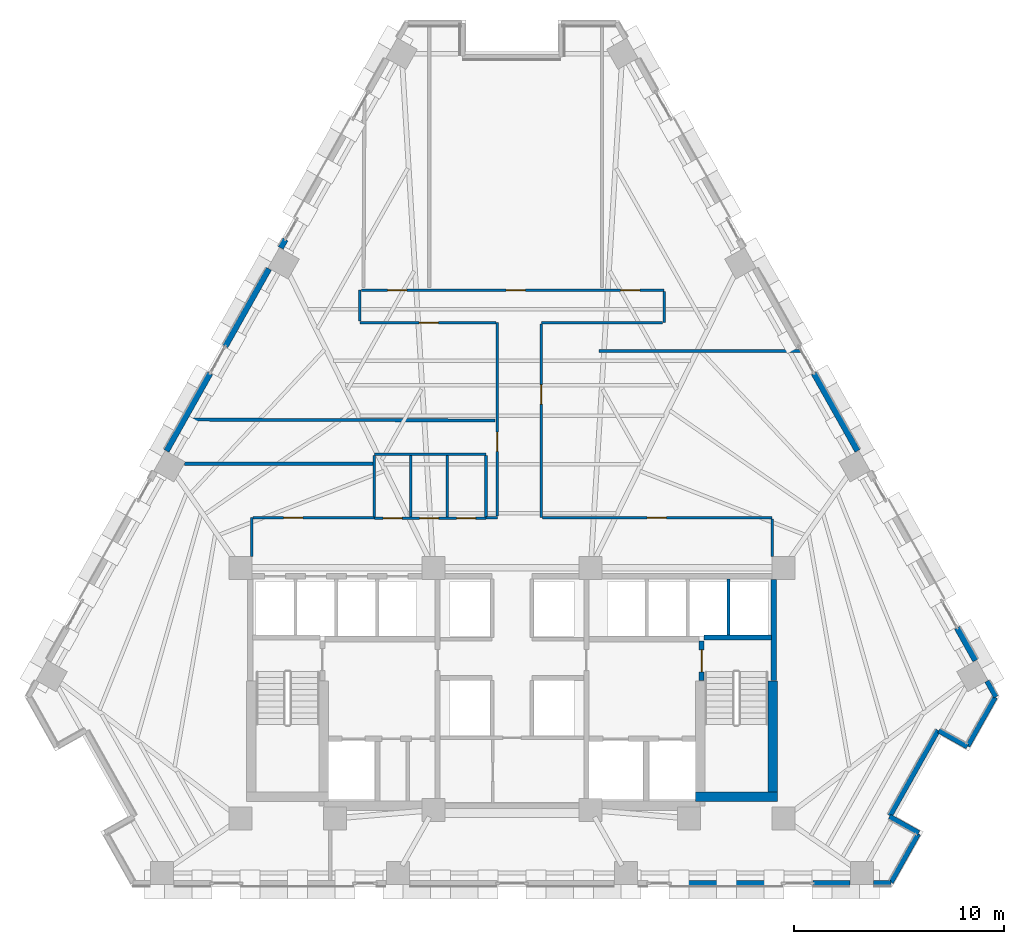
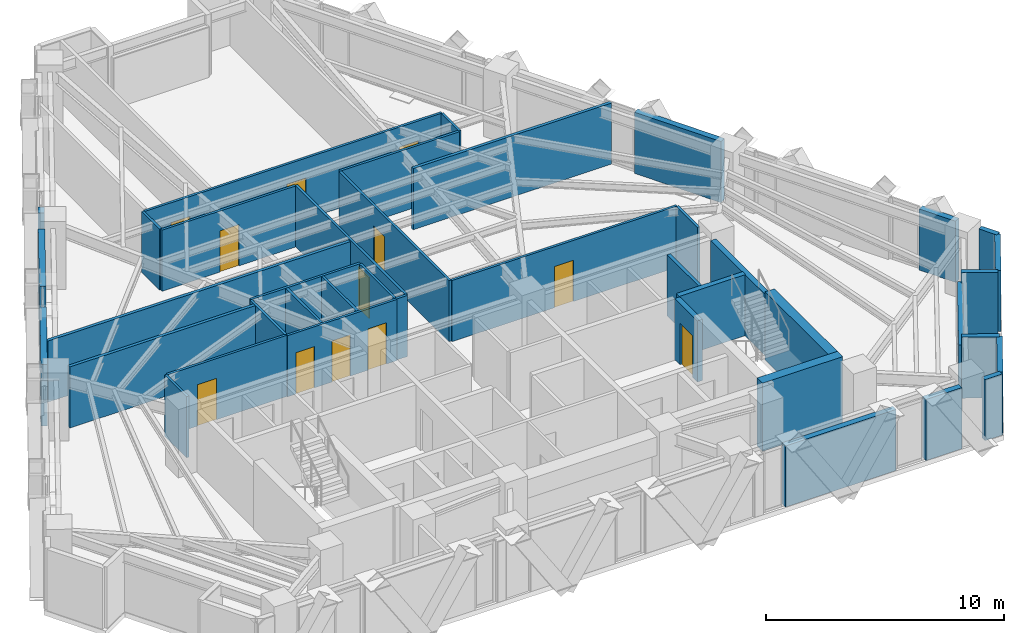
# One storey, part 8 of 13: 41 walls, 12 doors, 12 openings.
"""IFC4 building model written with IfcOpenShell, lengths in metres."""

from ifc_helpers import new_model, si_unit, direction, frame, frame_2d, origin, place, context, subcontext, project, spatial, rectangle, extrude, material, layer, layer_set, type_object, element, fill, save


model = new_model("IFC4")

# Units and contexts
model_context = context("Model", 3, precision=1e-05, world=origin(), true_north=direction((0.0, 1.0)))
body_context = subcontext(model_context, "Body", "Model", "MODEL_VIEW")
ifc_project = project(units=[si_unit("LENGTHUNIT", "METRE"), si_unit("AREAUNIT", "SQUARE_METRE"), si_unit("VOLUMEUNIT", "CUBIC_METRE"), si_unit("PLANEANGLEUNIT", "RADIAN"), si_unit("MASSUNIT", "GRAM", prefix="KILO")], contexts=[model_context])

# Site, building, storey
site_placement = place(None, origin())
site = spatial("IfcSite", under=ifc_project, at=site_placement, CompositionType="ELEMENT")
building_placement = place(site_placement, origin())
building = spatial("IfcBuilding", under=site, at=building_placement, Name="Quenlor Broadcast Tower", CompositionType="ELEMENT")
storey_placement = place(building_placement, frame((0.0, 0.0, 87.10009765625)))
storey = spatial("IfcBuildingStorey", under=building, at=storey_placement, Name="L23", CompositionType="ELEMENT", Elevation=87.10009765625)

# Walls
ifc_material_1 = material(Name="Acoustic Double Stud Gypsum Partition", Category="other")
ifc_layer_1 = layer(ifc_material_1, 0.14990234375)
ifc_layer_set_1 = layer_set([ifc_layer_1], Name="Broadcast Studio Acoustic Partition 150")
wall_type_1 = type_object("IfcWallType", Name="Broadcast Studio Acoustic Partition 150", PredefinedType="PARTITIONING", material=ifc_layer_set_1)
wall_1_placement = place(storey_placement, frame((13.788818359375, 5.5400390625, 0.0), z_axis=(0.0, 0.0, 1.0), x_axis=(-1.0, 0.0, 0.0)))
element("IfcWall", 1, at=wall_1_placement, inside=storey, type_object=wall_type_1, Name="L23 Interior Wall PW-DV-04", PredefinedType="PARTITIONING", context=body_context, shape_type="SweptSolid", body=[
    extrude(rectangle(XDim=9.6337890625, YDim=0.14990234375, at=frame_2d((4.81689453125, 0.0))), origin(), (0.0, 0.0, 1.0), 3.139892578125),
])
wall_2_placement = place(storey_placement, frame((-0.81005859375, 2.23046875, 0.0), z_axis=(0.0, 0.0, 1.0), x_axis=(-0.999996364115, 0.002696619409, 0.0)))
element("IfcWall", 2, at=wall_2_placement, inside=storey, type_object=wall_type_1, Name="L23 Interior Wall PW-DV-05", PredefinedType="PARTITIONING", context=body_context, shape_type="SweptSolid", body=[
    extrude(rectangle(XDim=14.666748046875, YDim=0.14990234375, at=frame_2d((7.33349609375, 0.0))), origin(), (0.0, 0.0, 1.0), 3.139892578125),
])
wall_3_placement = place(storey_placement, frame((-6.6201171875, 0.16650390625, 0.0), z_axis=(0.0, 0.0, 1.0), x_axis=(-1.0, 0.0, 0.0)))
element("IfcWall", 3, at=wall_3_placement, inside=storey, type_object=wall_type_1, Name="L23 Interior Wall PW-DV-06", PredefinedType="PARTITIONING", context=body_context, shape_type="SweptSolid", body=[
    extrude(rectangle(XDim=9.007080078125, YDim=0.14990234375, at=frame_2d((4.50341796875, 0.0))), origin(), (0.0, 0.0, 1.0), 3.139892578125),
])
ifc_material_2 = material(Name="Concrete C50/60", Category="concrete")
ifc_layer_2 = layer(ifc_material_2, 0.449951171875)
ifc_layer_set_2 = layer_set([ifc_layer_2], Name="Core Concrete C50/60 Shear Wall 450")
wall_type_2 = type_object("IfcWallType", Name="Core Concrete C50/60 Shear Wall 450", PredefinedType="SHEAR", material=ifc_layer_set_2)
wall_4_placement = place(storey_placement, frame((8.75, -15.72509765625, 0.0), z_axis=(0.0, 0.0, 1.0), x_axis=(1.0, 0.0, 0.0)))
element("IfcWall", 4, at=wall_4_placement, inside=storey, type_object=wall_type_2, Name="L23 Core Shear Wall WS-E2", PredefinedType="SHEAR", context=body_context, shape_type="SweptSolid", body=[
    extrude(rectangle(XDim=3.89990234375, YDim=0.449951171875, at=frame_2d((1.949951171875, 0.0))), origin(), (0.0, 0.0, 1.0), 3.5),
])
wall_5_placement = place(storey_placement, frame((12.425048828125, -15.72509765625, 0.0), z_axis=(0.0, 0.0, 1.0), x_axis=(0.0, 1.0, 0.0)))
element("IfcWall", 5, at=wall_5_placement, inside=storey, type_object=wall_type_2, Name="L23 Core Shear Wall WF-E", PredefinedType="SHEAR", context=body_context, shape_type="SweptSolid", body=[
    extrude(rectangle(XDim=5.525146484375, YDim=0.449951171875, at=frame_2d((2.7626953125, 0.0))), origin(), (0.0, 0.0, 1.0), 3.5),
])

# Wall, opening, door
ifc_material_3 = material(Name="Concrete C40/50", Category="concrete")
ifc_layer_3 = layer(ifc_material_3, 0.25)
ifc_layer_set_3 = layer_set([ifc_layer_3], Name="Fire Rated Concrete C40/50 Core Wall 250")
wall_type_3 = type_object("IfcWallType", Name="Fire Rated Concrete C40/50 Core Wall 250", PredefinedType="PARTITIONING", material=ifc_layer_set_3)
wall_6_placement = place(storey_placement, frame((9.0400390625, -10.179931640625, 0.0), z_axis=(0.0, 0.0, 1.0), x_axis=(0.0, 1.0, 0.0)))
wall_6 = element("IfcWall", 6, at=wall_6_placement, inside=storey, type_object=wall_type_3, Name="L23 Interior Wall CW-ST2-DR", PredefinedType="PARTITIONING", context=body_context, shape_type="SweptSolid", body=[
    extrude(rectangle(XDim=1.89990234375, YDim=0.25, at=frame_2d((0.949951171875, 0.0))), origin(), (0.0, 0.0, 1.0), 3.139892578125),
])
opening_1_placement = place(wall_6_placement, frame((0.419921875, 0.0, 0.0)))
opening_1 = element("IfcOpeningElement", 7, at=opening_1_placement, cuts=wall_6, Name="Opening FD-1", PredefinedType="OPENING", context=body_context, shape_type="SweptSolid", body=[
    extrude(rectangle(XDim=1.050048828125, YDim=2.14990234375, at=frame_2d((0.52490234375, 1.074951171875))), frame((0.0, 0.135009765625, 0.0), z_axis=(0.0, -1.0, 0.0), x_axis=(1.0, 0.0, 0.0)), (0.0, 0.0, 1.0), 0.27001953125),
])
ifc_material_4 = material(Name="Fire Rated Steel Door Leaf", Category="steel")
door_type_1 = type_object("IfcDoorType", Name="Fire Isolated Stair Door 1050x2150", OperationType="NOTDEFINED", PredefinedType="DOOR", material=ifc_material_4)
door_1_placement = place(opening_1_placement, origin())
door_1 = element("IfcDoor", 8, at=door_1_placement, inside=storey, type_object=door_type_1, Name="L23 Door DR-ST2", OperationType="SINGLE_SWING_RIGHT", OverallHeight=2.14990234375, OverallWidth=1.050048828125, PredefinedType="DOOR", context=body_context, shape_type="SweptSolid", body=[
    extrude(rectangle(XDim=1.050048828125, YDim=2.14990234375, at=frame_2d((0.52490234375, 1.074951171875))), frame((0.0, 0.02490234375, 0.0), z_axis=(0.0, -1.0, 0.0), x_axis=(1.0, 0.0, 0.0)), (0.0, 0.0, 1.0), 0.050048828125),
])
fill(opening_1, door_1)

# Walls
wall_7_placement = place(storey_placement, frame((9.159912109375, -8.1201171875, 0.0), z_axis=(0.0, 0.0, 1.0), x_axis=(1.0, 0.0, 0.0)))
element("IfcWall", 9, at=wall_7_placement, inside=storey, type_object=wall_type_3, Name="L23 Interior Wall CW-ST2-N", PredefinedType="PARTITIONING", context=body_context, shape_type="SweptSolid", body=[
    extrude(rectangle(XDim=3.219970703125, YDim=0.25, at=frame_2d((1.60986328125, 0.0))), origin(), (0.0, 0.0, 1.0), 3.139892578125),
])
wall_8_placement = place(storey_placement, frame((12.47998046875, -10.179931640625, 0.0), z_axis=(0.0, 0.0, 1.0), x_axis=(0.0, 1.0, 0.0)))
element("IfcWall", 10, at=wall_8_placement, inside=storey, type_object=wall_type_3, Name="L23 Interior Wall CW-ST2-E2", PredefinedType="PARTITIONING", context=body_context, shape_type="SweptSolid", body=[
    extrude(rectangle(XDim=4.827880859375, YDim=0.25, at=frame_2d((2.4140625, 0.0))), origin(), (0.0, 0.0, 1.0), 3.139892578125),
])
ifc_material_5 = material(Name="Gypsum Fireboard Partition", Category="other")
ifc_layer_4 = layer(ifc_material_5, 0.159912109375)
ifc_layer_set_4 = layer_set([ifc_layer_4], Name="Fire Rated Shaft and Corridor Partition 160")
wall_type_4 = type_object("IfcWallType", Name="Fire Rated Shaft and Corridor Partition 160", PredefinedType="PARTITIONING", material=ifc_layer_set_4)
wall_9_placement = place(storey_placement, frame((10.324951171875, -7.992919921875, 0.0), z_axis=(0.0, 0.0, 1.0), x_axis=(0.0, 1.0, 0.0)))
element("IfcWall", 11, at=wall_9_placement, inside=storey, type_object=wall_type_4, Name="L23 Interior Wall CW-PLH-D3", PredefinedType="PARTITIONING", context=body_context, shape_type="SweptSolid", body=[
    extrude(rectangle(XDim=2.65283203125, YDim=0.159912109375, at=frame_2d((1.326416015625, 0.0))), origin(), (0.0, 0.0, 1.0), 3.139892578125),
])

# Wall, openings, doors
ifc_material_6 = material(Name="Gypsum Plasterboard Partition", Category="other")
ifc_layer_5 = layer(ifc_material_6, 0.1201171875)
ifc_layer_set_5 = layer_set([ifc_layer_5], Name="Standard Office Partition 120")
wall_type_5 = type_object("IfcWallType", Name="Standard Office Partition 120", PredefinedType="PARTITIONING", material=ifc_layer_set_5)
wall_10_placement = place(storey_placement, frame((-6.56005859375, -2.43994140625, 0.0), z_axis=(0.0, 0.0, 1.0), x_axis=(1.0, 0.0, 0.0)))
wall_10 = element("IfcWall", 12, at=wall_10_placement, inside=storey, type_object=wall_type_5, Name="L23 Interior Wall PW-WC-S", PredefinedType="PARTITIONING", context=body_context, shape_type="SweptSolid", body=[
    extrude(rectangle(XDim=5.320068359375, YDim=0.1201171875, at=frame_2d((2.66015625, 0.0))), origin(), (0.0, 0.0, 1.0), 3.139892578125),
])
opening_2_placement = place(wall_10_placement, frame((0.419921875, 0.0, 0.0)))
opening_2 = element("IfcOpeningElement", 13, at=opening_2_placement, cuts=wall_10, Name="Opening ID-3", PredefinedType="OPENING", context=body_context, shape_type="SweptSolid", body=[
    extrude(rectangle(XDim=0.89990234375, YDim=2.1201171875, at=frame_2d((0.449951171875, 1.06005859375))), frame((0.0, 0.070068359375, 0.0), z_axis=(0.0, -1.0, 0.0), x_axis=(1.0, 0.0, 0.0)), (0.0, 0.0, 1.0), 0.14013671875),
])
opening_3_placement = place(wall_10_placement, frame((2.159912109375, 0.0, 0.0)))
opening_3 = element("IfcOpeningElement", 14, at=opening_3_placement, cuts=wall_10, Name="Opening ID-3", PredefinedType="OPENING", context=body_context, shape_type="SweptSolid", body=[
    extrude(rectangle(XDim=0.89990234375, YDim=2.1201171875, at=frame_2d((0.449951171875, 1.06005859375))), frame((0.0, 0.070068359375, 0.0), z_axis=(0.0, -1.0, 0.0), x_axis=(1.0, 0.0, 0.0)), (0.0, 0.0, 1.0), 0.14013671875),
])
opening_4_placement = place(wall_10_placement, frame((3.919921875, 0.0, 0.0)))
opening_4 = element("IfcOpeningElement", 15, at=opening_4_placement, cuts=wall_10, Name="Opening ID-3", PredefinedType="OPENING", context=body_context, shape_type="SweptSolid", body=[
    extrude(rectangle(XDim=0.89990234375, YDim=2.1201171875, at=frame_2d((0.449951171875, 1.06005859375))), frame((0.0, 0.070068359375, 0.0), z_axis=(0.0, -1.0, 0.0), x_axis=(1.0, 0.0, 0.0)), (0.0, 0.0, 1.0), 0.14013671875),
])
ifc_material_7 = material(Name="Moisture Resistant Timber Oak", Category="wood")
door_type_2 = type_object("IfcDoorType", Name="Washroom Privacy Door 900x2120", OperationType="NOTDEFINED", PredefinedType="DOOR", material=ifc_material_7)
door_2_placement = place(opening_2_placement, origin())
door_2 = element("IfcDoor", 16, at=door_2_placement, inside=storey, type_object=door_type_2, Name="L23 Door DR-FWC", OperationType="SINGLE_SWING_LEFT", OverallHeight=2.1201171875, OverallWidth=0.89990234375, PredefinedType="DOOR", context=body_context, shape_type="SweptSolid", body=[
    extrude(rectangle(XDim=0.89990234375, YDim=2.1201171875, at=frame_2d((0.449951171875, 1.06005859375))), frame((0.0, 0.02490234375, 0.0), z_axis=(0.0, -1.0, 0.0), x_axis=(1.0, 0.0, 0.0)), (0.0, 0.0, 1.0), 0.050048828125),
])
fill(opening_2, door_2)
door_3_placement = place(opening_3_placement, origin())
door_3 = element("IfcDoor", 17, at=door_3_placement, inside=storey, type_object=door_type_2, Name="L23 Door DR-MWC", OperationType="SINGLE_SWING_RIGHT", OverallHeight=2.1201171875, OverallWidth=0.89990234375, PredefinedType="DOOR", context=body_context, shape_type="SweptSolid", body=[
    extrude(rectangle(XDim=0.89990234375, YDim=2.1201171875, at=frame_2d((0.449951171875, 1.06005859375))), frame((0.0, 0.02490234375, 0.0), z_axis=(0.0, -1.0, 0.0), x_axis=(1.0, 0.0, 0.0)), (0.0, 0.0, 1.0), 0.050048828125),
])
fill(opening_3, door_3)
door_4_placement = place(opening_4_placement, origin())
door_4 = element("IfcDoor", 18, at=door_4_placement, inside=storey, type_object=door_type_2, Name="L23 Door DR-AWC", OperationType="SINGLE_SWING_RIGHT", OverallHeight=2.1201171875, OverallWidth=0.89990234375, PredefinedType="DOOR", context=body_context, shape_type="SweptSolid", body=[
    extrude(rectangle(XDim=0.89990234375, YDim=2.1201171875, at=frame_2d((0.449951171875, 1.06005859375))), frame((0.0, 0.02490234375, 0.0), z_axis=(0.0, -1.0, 0.0), x_axis=(1.0, 0.0, 0.0)), (0.0, 0.0, 1.0), 0.050048828125),
])
fill(opening_4, door_4)

# Walls
wall_11_placement = place(storey_placement, frame((-6.56005859375, 0.610107421875, 0.0), z_axis=(0.0, 0.0, 1.0), x_axis=(1.0, 0.0, 0.0)))
element("IfcWall", 19, at=wall_11_placement, inside=storey, type_object=wall_type_5, Name="L23 Interior Wall PW-WC-N", PredefinedType="PARTITIONING", context=body_context, shape_type="SweptSolid", body=[
    extrude(rectangle(XDim=5.320068359375, YDim=0.1201171875, at=frame_2d((2.66015625, 0.0))), origin(), (0.0, 0.0, 1.0), 3.139892578125),
])
for number, where, z_axis, x_axis, name in (
    (20, (-6.56005859375, -2.3779296875, 0.0), (0.0, 0.0, 1.0), (0.0, 1.0, 0.0), "L23 Interior Wall PW-WC-W"),
    (21, (-4.820068359375, -2.3779296875, 0.0), (0.0, 0.0, 1.0), (0.0, 1.0, 0.0), "L23 Interior Wall PW-WC-M1"),
    (22, (-3.080078125, -2.3779296875, 0.0), (0.0, 0.0, 1.0), (0.0, 1.0, 0.0), "L23 Interior Wall PW-WC-M2"),
    (23, (-1.239990234375, -2.3779296875, 0.0), (0.0, 0.0, 1.0), (0.0, 1.0, 0.0), "L23 Interior Wall PW-WC-E"),
):
    element("IfcWall", number, at=place(storey_placement, frame(where, z_axis=z_axis, x_axis=x_axis)), inside=storey, type_object=wall_type_5, Name=name, PredefinedType="PARTITIONING", context=body_context, shape_type="SweptSolid", body=[
        extrude(rectangle(XDim=2.926025390625, YDim=0.1201171875, at=frame_2d((1.462890625, 0.0))), origin(), (0.0, 0.0, 1.0), 3.139892578125),
    ])
wall_12_placement = place(storey_placement, frame((-12.409912109375, -4.248046875, 0.0), z_axis=(0.0, 0.0, 1.0), x_axis=(0.0, 1.0, 0.0)))
element("IfcWall", 24, at=wall_12_placement, inside=storey, type_object=wall_type_5, Name="L23 Interior Wall PW-CR-01", PredefinedType="PARTITIONING", context=body_context, shape_type="SweptSolid", body=[
    extrude(rectangle(XDim=1.84814453125, YDim=0.1201171875, at=frame_2d((0.924072265625, 0.0))), origin(), (0.0, 0.0, 1.0), 3.139892578125),
])

# Wall, opening, door
wall_13_placement = place(storey_placement, frame((-12.347900390625, -2.39990234375, 0.0), z_axis=(0.0, 0.0, 1.0), x_axis=(1.0, 0.0, 0.0)))
wall_13 = element("IfcWall", 25, at=wall_13_placement, inside=storey, type_object=wall_type_5, Name="L23 Interior Wall PW-CR-02", PredefinedType="PARTITIONING", context=body_context, shape_type="SweptSolid", body=[
    extrude(rectangle(XDim=5.785888671875, YDim=0.1201171875, at=frame_2d((2.89306640625, 0.0))), origin(), (0.0, 0.0, 1.0), 3.139892578125),
])
opening_5_placement = place(wall_13_placement, frame((1.458984375, 0.0, 0.0)))
opening_5 = element("IfcOpeningElement", 26, at=opening_5_placement, cuts=wall_13, Name="Opening ID-1", PredefinedType="OPENING", context=body_context, shape_type="SweptSolid", body=[
    extrude(rectangle(XDim=0.919921875, YDim=2.1201171875, at=frame_2d((0.4599609375, 1.06005859375))), frame((0.0, 0.070068359375, 0.0), z_axis=(0.0, -1.0, 0.0), x_axis=(1.0, 0.0, 0.0)), (0.0, 0.0, 1.0), 0.14013671875),
])
ifc_material_8 = material(Name="Solid Core Timber Oak", Category="wood")
door_type_3 = type_object("IfcDoorType", Name="Single Leaf Timber Office Door 920x2120", OperationType="NOTDEFINED", PredefinedType="DOOR", material=ifc_material_8)
door_5_placement = place(opening_5_placement, origin())
door_5 = element("IfcDoor", 27, at=door_5_placement, inside=storey, type_object=door_type_3, Name="L23 Door DR-RM07", OperationType="SINGLE_SWING_LEFT", OverallHeight=2.1201171875, OverallWidth=0.919921875, PredefinedType="DOOR", context=body_context, shape_type="SweptSolid", body=[
    extrude(rectangle(XDim=0.919921875, YDim=2.1201171875, at=frame_2d((0.4599609375, 1.06005859375))), frame((0.0, 0.02490234375, 0.0), z_axis=(0.0, -1.0, 0.0), x_axis=(1.0, 0.0, 0.0)), (0.0, 0.0, 1.0), 0.050048828125),
])
fill(opening_5, door_5)

# Wall
wall_14_placement = place(storey_placement, frame((-1.238037109375, -2.39990234375, 0.0), z_axis=(0.0, 0.0, 1.0), x_axis=(1.0, 0.0, 0.0)))
element("IfcWall", 28, at=wall_14_placement, inside=storey, type_object=wall_type_5, Name="L23 Interior Wall PW-CR-02S2", PredefinedType="PARTITIONING", context=body_context, shape_type="SweptSolid", body=[
    extrude(rectangle(XDim=0.5380859375, YDim=0.1201171875, at=frame_2d((0.26904296875, 0.0))), origin(), (0.0, 0.0, 1.0), 3.139892578125),
])

# Wall, opening, door
wall_15_placement = place(storey_placement, frame((-0.699951171875, -2.337890625, 0.0), z_axis=(0.0, 0.0, 1.0), x_axis=(0.0, 1.0, 0.0)))
wall_15 = element("IfcWall", 29, at=wall_15_placement, inside=storey, type_object=wall_type_5, Name="L23 Interior Wall PW-CR-03", PredefinedType="PARTITIONING", context=body_context, shape_type="SweptSolid", body=[
    extrude(rectangle(XDim=9.23779296875, YDim=0.1201171875, at=frame_2d((4.618896484375, 0.0))), origin(), (0.0, 0.0, 1.0), 3.139892578125),
])
opening_6_placement = place(wall_15_placement, frame((3.095947265625, 0.0, 0.0)))
opening_6 = element("IfcOpeningElement", 30, at=opening_6_placement, cuts=wall_15, Name="Opening ID-1", PredefinedType="OPENING", context=body_context, shape_type="SweptSolid", body=[
    extrude(rectangle(XDim=0.919921875, YDim=2.1201171875, at=frame_2d((0.4599609375, 1.06005859375))), frame((0.0, 0.070068359375, 0.0), z_axis=(0.0, -1.0, 0.0), x_axis=(1.0, 0.0, 0.0)), (0.0, 0.0, 1.0), 0.14013671875),
])
door_6_placement = place(opening_6_placement, origin())
door_6 = element("IfcDoor", 31, at=door_6_placement, inside=storey, type_object=door_type_3, Name="L23 Door DR-RM06", OperationType="SINGLE_SWING_RIGHT", OverallHeight=2.1201171875, OverallWidth=0.919921875, PredefinedType="DOOR", context=body_context, shape_type="SweptSolid", body=[
    extrude(rectangle(XDim=0.919921875, YDim=2.1201171875, at=frame_2d((0.4599609375, 1.06005859375))), frame((0.0, 0.02490234375, 0.0), z_axis=(0.0, -1.0, 0.0), x_axis=(1.0, 0.0, 0.0)), (0.0, 0.0, 1.0), 0.050048828125),
])
fill(opening_6, door_6)

wall_16_placement = place(storey_placement, frame((-0.761962890625, 6.89990234375, 0.0), z_axis=(0.0, 0.0, 1.0), x_axis=(-1.0, 0.0, 0.0)))
wall_16 = element("IfcWall", 32, at=wall_16_placement, inside=storey, type_object=wall_type_5, Name="L23 Interior Wall PW-CR-04", PredefinedType="PARTITIONING", context=body_context, shape_type="SweptSolid", body=[
    extrude(rectangle(XDim=6.488037109375, YDim=0.1201171875, at=frame_2d((3.244140625, 0.0))), origin(), (0.0, 0.0, 1.0), 3.139892578125),
])
opening_7_placement = place(wall_16_placement, frame((2.7529296875, 0.0, 0.0)))
opening_7 = element("IfcOpeningElement", 33, at=opening_7_placement, cuts=wall_16, Name="Opening ID-1", PredefinedType="OPENING", context=body_context, shape_type="SweptSolid", body=[
    extrude(rectangle(XDim=0.919921875, YDim=2.1201171875, at=frame_2d((0.4599609375, 1.06005859375))), frame((0.0, 0.070068359375, 0.0), z_axis=(0.0, -1.0, 0.0), x_axis=(1.0, 0.0, 0.0)), (0.0, 0.0, 1.0), 0.14013671875),
])
door_7_placement = place(opening_7_placement, origin())
door_7 = element("IfcDoor", 34, at=door_7_placement, inside=storey, type_object=door_type_3, Name="L23 Door DR-RM04", OperationType="SINGLE_SWING_RIGHT", OverallHeight=2.1201171875, OverallWidth=0.919921875, PredefinedType="DOOR", context=body_context, shape_type="SweptSolid", body=[
    extrude(rectangle(XDim=0.919921875, YDim=2.1201171875, at=frame_2d((0.4599609375, 1.06005859375))), frame((0.0, 0.02490234375, 0.0), z_axis=(0.0, -1.0, 0.0), x_axis=(1.0, 0.0, 0.0)), (0.0, 0.0, 1.0), 0.050048828125),
])
fill(opening_7, door_7)

# Wall
wall_17_placement = place(storey_placement, frame((-7.25, 6.9619140625, 0.0), z_axis=(0.0, 0.0, 1.0), x_axis=(0.0, 1.0, 0.0)))
element("IfcWall", 35, at=wall_17_placement, inside=storey, type_object=wall_type_5, Name="L23 Interior Wall PW-CR-05", PredefinedType="PARTITIONING", context=body_context, shape_type="SweptSolid", body=[
    extrude(rectangle(XDim=1.488037109375, YDim=0.1201171875, at=frame_2d((0.744140625, 0.0))), origin(), (0.0, 0.0, 1.0), 3.139892578125),
])

# Wall, openings, doors
wall_18_placement = place(storey_placement, frame((-7.18798828125, 8.449951171875, 0.0), z_axis=(0.0, 0.0, 1.0), x_axis=(1.0, 0.0, 0.0)))
wall_18 = element("IfcWall", 36, at=wall_18_placement, inside=storey, type_object=wall_type_5, Name="L23 Interior Wall PW-CR-06", PredefinedType="PARTITIONING", context=body_context, shape_type="SweptSolid", body=[
    extrude(rectangle(XDim=14.43798828125, YDim=0.1201171875, at=frame_2d((7.218994140625, 0.0))), origin(), (0.0, 0.0, 1.0), 3.139892578125),
])
opening_8_placement = place(wall_18_placement, frame((6.903076171875, 0.0, 0.0)))
opening_8 = element("IfcOpeningElement", 37, at=opening_8_placement, cuts=wall_18, Name="Opening ID-1", PredefinedType="OPENING", context=body_context, shape_type="SweptSolid", body=[
    extrude(rectangle(XDim=0.919921875, YDim=2.1201171875, at=frame_2d((0.4599609375, 1.06005859375))), frame((0.0, 0.070068359375, 0.0), z_axis=(0.0, -1.0, 0.0), x_axis=(1.0, 0.0, 0.0)), (0.0, 0.0, 1.0), 0.14013671875),
])
opening_9_placement = place(wall_18_placement, frame((1.260009765625, 0.0, 0.0)))
opening_9 = element("IfcOpeningElement", 38, at=opening_9_placement, cuts=wall_18, Name="Opening ID-1", PredefinedType="OPENING", context=body_context, shape_type="SweptSolid", body=[
    extrude(rectangle(XDim=0.919921875, YDim=2.1201171875, at=frame_2d((0.4599609375, 1.06005859375))), frame((0.0, 0.070068359375, 0.0), z_axis=(0.0, -1.0, 0.0), x_axis=(1.0, 0.0, 0.0)), (0.0, 0.0, 1.0), 0.14013671875),
])
opening_10_placement = place(wall_18_placement, frame((12.37109375, 0.0, 0.0)))
opening_10 = element("IfcOpeningElement", 39, at=opening_10_placement, cuts=wall_18, Name="Opening ID-1", PredefinedType="OPENING", context=body_context, shape_type="SweptSolid", body=[
    extrude(rectangle(XDim=0.919921875, YDim=2.1201171875, at=frame_2d((0.4599609375, 1.06005859375))), frame((0.0, 0.070068359375, 0.0), z_axis=(0.0, -1.0, 0.0), x_axis=(1.0, 0.0, 0.0)), (0.0, 0.0, 1.0), 0.14013671875),
])
door_8_placement = place(opening_8_placement, origin())
door_8 = element("IfcDoor", 40, at=door_8_placement, inside=storey, type_object=door_type_3, Name="L23 Door DR-RM01", OperationType="SINGLE_SWING_LEFT", OverallHeight=2.1201171875, OverallWidth=0.919921875, PredefinedType="DOOR", context=body_context, shape_type="SweptSolid", body=[
    extrude(rectangle(XDim=0.919921875, YDim=2.1201171875, at=frame_2d((0.4599609375, 1.06005859375))), frame((0.0, 0.02490234375, 0.0), z_axis=(0.0, -1.0, 0.0), x_axis=(1.0, 0.0, 0.0)), (0.0, 0.0, 1.0), 0.050048828125),
])
fill(opening_8, door_8)
door_9_placement = place(opening_9_placement, origin())
door_9 = element("IfcDoor", 41, at=door_9_placement, inside=storey, type_object=door_type_3, Name="L23 Door DR-RM02", OperationType="SINGLE_SWING_RIGHT", OverallHeight=2.1201171875, OverallWidth=0.919921875, PredefinedType="DOOR", context=body_context, shape_type="SweptSolid", body=[
    extrude(rectangle(XDim=0.919921875, YDim=2.1201171875, at=frame_2d((0.4599609375, 1.06005859375))), frame((0.0, 0.02490234375, 0.0), z_axis=(0.0, -1.0, 0.0), x_axis=(1.0, 0.0, 0.0)), (0.0, 0.0, 1.0), 0.050048828125),
])
fill(opening_9, door_9)
door_10_placement = place(opening_10_placement, origin())
door_10 = element("IfcDoor", 42, at=door_10_placement, inside=storey, type_object=door_type_3, Name="L23 Door DR-RM03", OperationType="SINGLE_SWING_LEFT", OverallHeight=2.1201171875, OverallWidth=0.919921875, PredefinedType="DOOR", context=body_context, shape_type="SweptSolid", body=[
    extrude(rectangle(XDim=0.919921875, YDim=2.1201171875, at=frame_2d((0.4599609375, 1.06005859375))), frame((0.0, 0.02490234375, 0.0), z_axis=(0.0, -1.0, 0.0), x_axis=(1.0, 0.0, 0.0)), (0.0, 0.0, 1.0), 0.050048828125),
])
fill(opening_10, door_10)

# Walls
wall_19_placement = place(storey_placement, frame((7.25, 8.387939453125, 0.0), z_axis=(0.0, 0.0, 1.0), x_axis=(0.0, -1.0, 0.0)))
element("IfcWall", 43, at=wall_19_placement, inside=storey, type_object=wall_type_5, Name="L23 Interior Wall PW-CR-07", PredefinedType="PARTITIONING", context=body_context, shape_type="SweptSolid", body=[
    extrude(rectangle(XDim=1.488037109375, YDim=0.1201171875, at=frame_2d((0.744140625, 0.0))), origin(), (0.0, 0.0, 1.0), 3.139892578125),
])
wall_20_placement = place(storey_placement, frame((7.18798828125, 6.89990234375, 0.0), z_axis=(0.0, 0.0, 1.0), x_axis=(-1.0, 0.0, 0.0)))
element("IfcWall", 44, at=wall_20_placement, inside=storey, type_object=wall_type_5, Name="L23 Interior Wall PW-CR-08", PredefinedType="PARTITIONING", context=body_context, shape_type="SweptSolid", body=[
    extrude(rectangle(XDim=5.7880859375, YDim=0.1201171875, at=frame_2d((2.89404296875, 0.0))), origin(), (0.0, 0.0, 1.0), 3.139892578125),
])

# Wall, opening, door
wall_21_placement = place(storey_placement, frame((1.39990234375, 6.837890625, 0.0), z_axis=(0.0, 0.0, 1.0), x_axis=(0.0, -1.0, 0.0)))
wall_21 = element("IfcWall", 45, at=wall_21_placement, inside=storey, type_object=wall_type_5, Name="L23 Interior Wall PW-CR-09", PredefinedType="PARTITIONING", context=body_context, shape_type="SweptSolid", body=[
    extrude(rectangle(XDim=9.23779296875, YDim=0.1201171875, at=frame_2d((4.618896484375, 0.0))), origin(), (0.0, 0.0, 1.0), 3.139892578125),
])
opening_11_placement = place(wall_21_placement, frame((2.907958984375, 0.0, 0.0)))
opening_11 = element("IfcOpeningElement", 46, at=opening_11_placement, cuts=wall_21, Name="Opening ID-1", PredefinedType="OPENING", context=body_context, shape_type="SweptSolid", body=[
    extrude(rectangle(XDim=0.919921875, YDim=2.1201171875, at=frame_2d((0.4599609375, 1.06005859375))), frame((0.0, 0.070068359375, 0.0), z_axis=(0.0, -1.0, 0.0), x_axis=(1.0, 0.0, 0.0)), (0.0, 0.0, 1.0), 0.14013671875),
])
door_11_placement = place(opening_11_placement, origin())
door_11 = element("IfcDoor", 47, at=door_11_placement, inside=storey, type_object=door_type_3, Name="L23 Door DR-RM05", OperationType="SINGLE_SWING_LEFT", OverallHeight=2.1201171875, OverallWidth=0.919921875, PredefinedType="DOOR", context=body_context, shape_type="SweptSolid", body=[
    extrude(rectangle(XDim=0.919921875, YDim=2.1201171875, at=frame_2d((0.4599609375, 1.06005859375))), frame((0.0, 0.02490234375, 0.0), z_axis=(0.0, -1.0, 0.0), x_axis=(1.0, 0.0, 0.0)), (0.0, 0.0, 1.0), 0.050048828125),
])
fill(opening_11, door_11)

wall_22_placement = place(storey_placement, frame((1.4619140625, -2.39990234375, 0.0), z_axis=(0.0, 0.0, 1.0), x_axis=(1.0, 0.0, 0.0)))
wall_22 = element("IfcWall", 48, at=wall_22_placement, inside=storey, type_object=wall_type_5, Name="L23 Interior Wall PW-CR-10", PredefinedType="PARTITIONING", context=body_context, shape_type="SweptSolid", body=[
    extrude(rectangle(XDim=10.947998046875, YDim=0.1201171875, at=frame_2d((5.47412109375, 0.0))), origin(), (0.0, 0.0, 1.0), 3.139892578125),
])
opening_12_placement = place(wall_22_placement, frame((4.98291015625, 0.0, 0.0)))
opening_12 = element("IfcOpeningElement", 49, at=opening_12_placement, cuts=wall_22, Name="Opening ID-1", PredefinedType="OPENING", context=body_context, shape_type="SweptSolid", body=[
    extrude(rectangle(XDim=0.919921875, YDim=2.1201171875, at=frame_2d((0.4599609375, 1.06005859375))), frame((0.0, 0.070068359375, 0.0), z_axis=(0.0, -1.0, 0.0), x_axis=(1.0, 0.0, 0.0)), (0.0, 0.0, 1.0), 0.14013671875),
])
door_12_placement = place(opening_12_placement, origin())
door_12 = element("IfcDoor", 50, at=door_12_placement, inside=storey, type_object=door_type_3, Name="L23 Door DR-RM08", OperationType="SINGLE_SWING_RIGHT", OverallHeight=2.1201171875, OverallWidth=0.919921875, PredefinedType="DOOR", context=body_context, shape_type="SweptSolid", body=[
    extrude(rectangle(XDim=0.919921875, YDim=2.1201171875, at=frame_2d((0.4599609375, 1.06005859375))), frame((0.0, 0.02490234375, 0.0), z_axis=(0.0, -1.0, 0.0), x_axis=(1.0, 0.0, 0.0)), (0.0, 0.0, 1.0), 0.050048828125),
])
fill(opening_12, door_12)

# Walls
wall_23_placement = place(storey_placement, frame((12.409912109375, -2.4619140625, 0.0), z_axis=(0.0, 0.0, 1.0), x_axis=(0.0, -1.0, 0.0)))
element("IfcWall", 51, at=wall_23_placement, inside=storey, type_object=wall_type_5, Name="L23 Interior Wall PW-CR-11", PredefinedType="PARTITIONING", context=body_context, shape_type="SweptSolid", body=[
    extrude(rectangle(XDim=1.7861328125, YDim=0.1201171875, at=frame_2d((0.89306640625, 0.0))), origin(), (0.0, 0.0, 1.0), 3.139892578125),
])
ifc_material_9 = material(Name="Precast concrete C40/50", Category="concrete")
ifc_layer_6 = layer(ifc_material_9, 0.239990234375)
ifc_layer_set_6 = layer_set([ifc_layer_6], Name="Terrace Threshold Precast Concrete C40/50 Wall 240")
wall_type_6 = type_object("IfcWallType", Name="Terrace Threshold Precast Concrete C40/50 Wall 240", PredefinedType="STANDARD", material=ifc_layer_set_6)
wall_24_placement = place(storey_placement, frame((18.083984375, -19.840087890625, 0.0), z_axis=(0.0, 0.0, 1.0), x_axis=(-1.0, 0.0, 0.0)))
element("IfcWall", 52, at=wall_24_placement, inside=storey, type_object=wall_type_6, Name="L23 Exterior Wall L23-SHD-SS0", PredefinedType="STANDARD", context=body_context, shape_type="SweptSolid", body=[
    extrude(rectangle(XDim=0.83642578125, YDim=0.239990234375, at=frame_2d((0.418212890625, 0.0))), origin(), (0.0, 0.0, 1.0), 3.139892578125),
])
wall_25_placement = place(storey_placement, frame((22.65380859375, -10.199951171875, 0.0), z_axis=(0.0, 0.0, 1.0), x_axis=(0.490355003566, -0.871522788272, 0.0)))
element("IfcWall", 53, at=wall_25_placement, inside=storey, type_object=wall_type_6, Name="L23 Exterior Wall L23-SHD-NES1", PredefinedType="STANDARD", context=body_context, shape_type="SweptSolid", body=[
    extrude(rectangle(XDim=0.865234375, YDim=0.239990234375, at=frame_2d((0.4326171875, 0.0))), origin(), (0.0, 0.0, 1.0), 3.139892578125),
])
wall_26_placement = place(storey_placement, frame((19.39892578125, -17.4423828125, 0.0), z_axis=(0.0, 0.0, 1.0), x_axis=(-0.871575537125, 0.490261239633, 0.0)))
element("IfcWall", 54, at=wall_26_placement, inside=storey, type_object=wall_type_6, Name="L23 Exterior Wall L23-CNR-01", PredefinedType="STANDARD", context=body_context, shape_type="SweptSolid", body=[
    extrude(rectangle(XDim=1.60009765625, YDim=0.239990234375, at=frame_2d((0.800048828125, 0.0))), origin(), (0.0, 0.0, 1.0), 3.139892578125),
])
wall_27_placement = place(storey_placement, frame((18.024169921875, -16.623046875, 0.0), z_axis=(0.0, 0.0, 1.0), x_axis=(0.490273623647, 0.871568571001, 0.0)))
element("IfcWall", 55, at=wall_27_placement, inside=storey, type_object=wall_type_6, Name="L23 Exterior Wall L23-CNR-02", PredefinedType="STANDARD", context=body_context, shape_type="SweptSolid", body=[
    extrude(rectangle(XDim=4.679931640625, YDim=0.239990234375, at=frame_2d((2.33984375, 0.0))), origin(), (0.0, 0.0, 1.0), 2.61181640625),
])
wall_28_placement = place(storey_placement, frame((20.353515625, -12.563720703125, 0.0), z_axis=(0.0, 0.0, 1.0), x_axis=(0.871546278971, -0.490313250496, 0.0)))
element("IfcWall", 56, at=wall_28_placement, inside=storey, type_object=wall_type_6, Name="L23 Exterior Wall L23-CNR-03", PredefinedType="STANDARD", context=body_context, shape_type="SweptSolid", body=[
    extrude(rectangle(XDim=1.56005859375, YDim=0.239990234375, at=frame_2d((0.780029296875, 0.0))), origin(), (0.0, 0.0, 1.0), 3.139892578125),
])
wall_29_placement = place(storey_placement, frame((21.732666015625, -13.293701171875, 0.0), z_axis=(0.0, 0.0, 1.0), x_axis=(0.490265590412, 0.871573089797, 0.0)))
element("IfcWall", 57, at=wall_29_placement, inside=storey, type_object=wall_type_6, Name="L23 Exterior Wall L23-CNR-04", PredefinedType="STANDARD", context=body_context, shape_type="SweptSolid", body=[
    extrude(rectangle(XDim=2.6640625, YDim=0.239990234375, at=frame_2d((1.33203125, 0.0))), origin(), (0.0, 0.0, 1.0), 3.139892578125),
])
wall_30_placement = place(storey_placement, frame((18.074951171875, -19.79638671875, 0.0), z_axis=(0.0, 0.0, 1.0), x_axis=(0.490248170584, 0.871582888335, 0.0)))
element("IfcWall", 58, at=wall_30_placement, inside=storey, type_object=wall_type_6, Name="L23 Exterior Wall L23-CNR-18", PredefinedType="STANDARD", context=body_context, shape_type="SweptSolid", body=[
    extrude(rectangle(XDim=2.660888671875, YDim=0.239990234375, at=frame_2d((1.33056640625, 0.0))), origin(), (0.0, 0.0, 1.0), 3.139892578125),
])
ifc_material_10 = material(Name="Precast concrete C40/50", Category="concrete")
ifc_layer_7 = layer(ifc_material_10, 0.280029296875)
ifc_layer_set_7 = layer_set([ifc_layer_7], Name="Terracotta Precast Concrete C40/50 Facade Wall 280")
wall_type_7 = type_object("IfcWallType", Name="Terracotta Precast Concrete C40/50 Facade Wall 280", PredefinedType="STANDARD", material=ifc_layer_set_7)
wall_31_placement = place(storey_placement, frame((16.117431640625, -19.840087890625, 0.0), z_axis=(0.0, 0.0, 1.0), x_axis=(-1.0, 0.0, 0.0)))
element("IfcWall", 59, at=wall_31_placement, inside=storey, type_object=wall_type_7, Name="L23 Exterior Wall L23-SA-SP1", PredefinedType="STANDARD", context=body_context, shape_type="SweptSolid", body=[
    extrude(rectangle(XDim=1.760498046875, YDim=0.280029296875, at=frame_2d((0.88037109375, 0.0))), origin(), (0.0, 0.0, 1.0), 3.139892578125),
])
wall_32_placement = place(storey_placement, frame((12.91357421875, -19.840087890625, 0.0), z_axis=(0.0, 0.0, 1.0), x_axis=(-1.0, 0.0, 0.0)))
element("IfcWall", 60, at=wall_32_placement, inside=storey, type_object=wall_type_7, Name="L23 Exterior Wall L23-SA-SP2", PredefinedType="STANDARD", context=body_context, shape_type="SweptSolid", body=[
    extrude(rectangle(XDim=5.374267578125, YDim=0.280029296875, at=frame_2d((2.68701171875, 0.0))), origin(), (0.0, 0.0, 1.0), 3.139892578125),
])
wall_33_placement = place(storey_placement, frame((21.227294921875, -7.663818359375, 0.0), z_axis=(0.0, 0.0, 1.0), x_axis=(0.490248214463, -0.871582863654, 0.0)))
element("IfcWall", 61, at=wall_33_placement, inside=storey, type_object=wall_type_7, Name="L23 Exterior Wall L23-NEC-SP3", PredefinedType="STANDARD", context=body_context, shape_type="SweptSolid", body=[
    extrude(rectangle(XDim=1.77978515625, YDim=0.280029296875, at=frame_2d((0.889892578125, 0.0))), origin(), (0.0, 0.0, 1.0), 3.139892578125),
])
wall_34_placement = place(storey_placement, frame((14.401123046875, 4.4716796875, 0.0), z_axis=(0.0, 0.0, 1.0), x_axis=(0.490280395622, -0.871564761603, 0.0)))
element("IfcWall", 62, at=wall_34_placement, inside=storey, type_object=wall_type_7, Name="L23 Exterior Wall L23-NE-SP2", PredefinedType="STANDARD", context=body_context, shape_type="SweptSolid", body=[
    extrude(rectangle(XDim=4.235595703125, YDim=0.280029296875, at=frame_2d((2.11767578125, 0.0))), origin(), (0.0, 0.0, 1.0), 3.139892578125),
])
wall_35_placement = place(storey_placement, frame((-11.031982421875, 10.461181640625, 0.0), z_axis=(0.0, 0.0, 1.0), x_axis=(0.490412424957, 0.871490478116, 0.0)))
element("IfcWall", 63, at=wall_35_placement, inside=storey, type_object=wall_type_7, Name="L23 Exterior Wall L23-NWC-SP1", PredefinedType="STANDARD", context=body_context, shape_type="SweptSolid", body=[
    extrude(rectangle(XDim=0.4599609375, YDim=0.280029296875, at=frame_2d((0.22998046875, 0.0))), origin(), (0.0, 0.0, 1.0), 3.139892578125),
])
for number, where, z_axis, x_axis, name in (
    (64, (-16.477783203125, 0.780029296875, 0.0), (0.0, 0.0, 1.0), (0.490280395622, 0.871564761603, 0.0), "L23 Exterior Wall L23-NW-SP1"),
    (65, (-13.669921875, 5.771484375, 0.0), (0.0, 0.0, 1.0), (0.490280395622, 0.871564761603, 0.0), "L23 Exterior Wall L23-NW-SP2"),
):
    element("IfcWall", number, at=place(storey_placement, frame(where, z_axis=z_axis, x_axis=x_axis)), inside=storey, type_object=wall_type_7, Name=name, PredefinedType="STANDARD", context=body_context, shape_type="SweptSolid", body=[
        extrude(rectangle(XDim=4.235595703125, YDim=0.280029296875, at=frame_2d((2.11767578125, 0.0))), origin(), (0.0, 0.0, 1.0), 3.139892578125),
    ])

save(model, "model.ifc")
